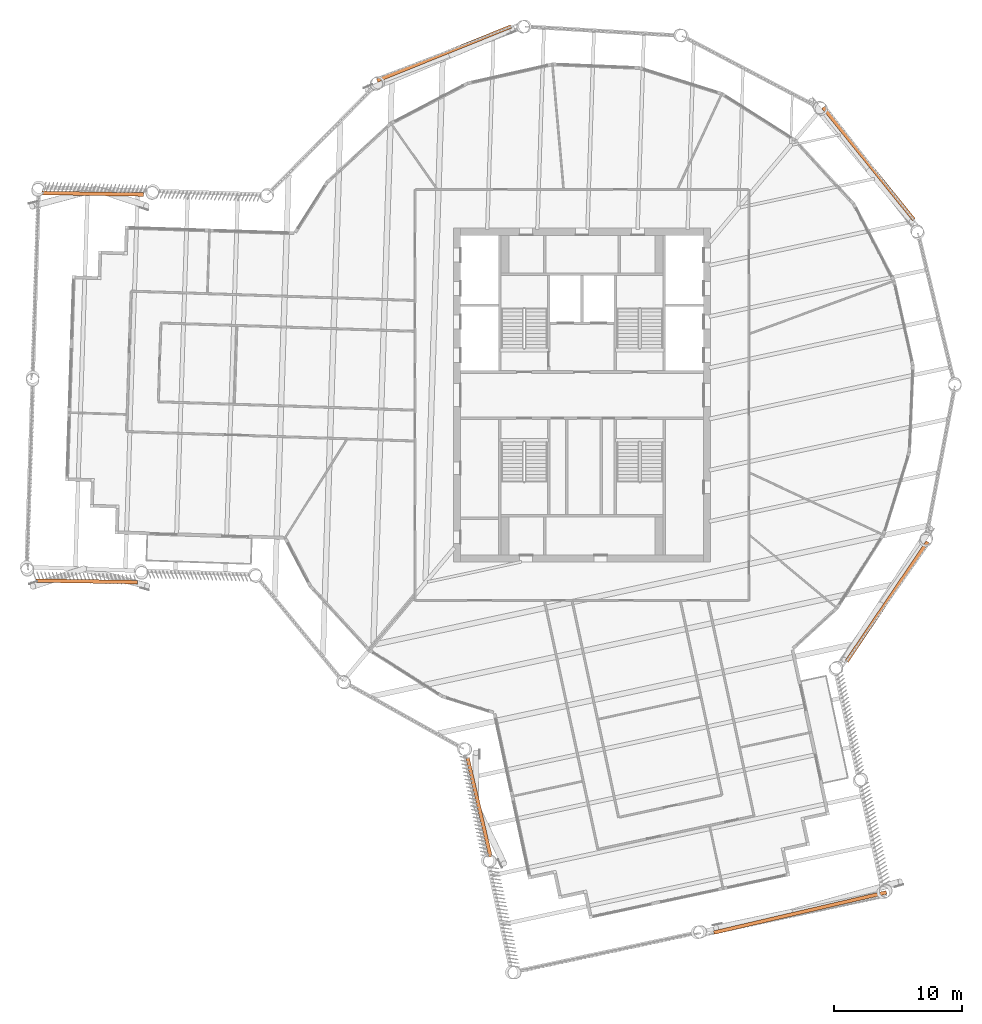
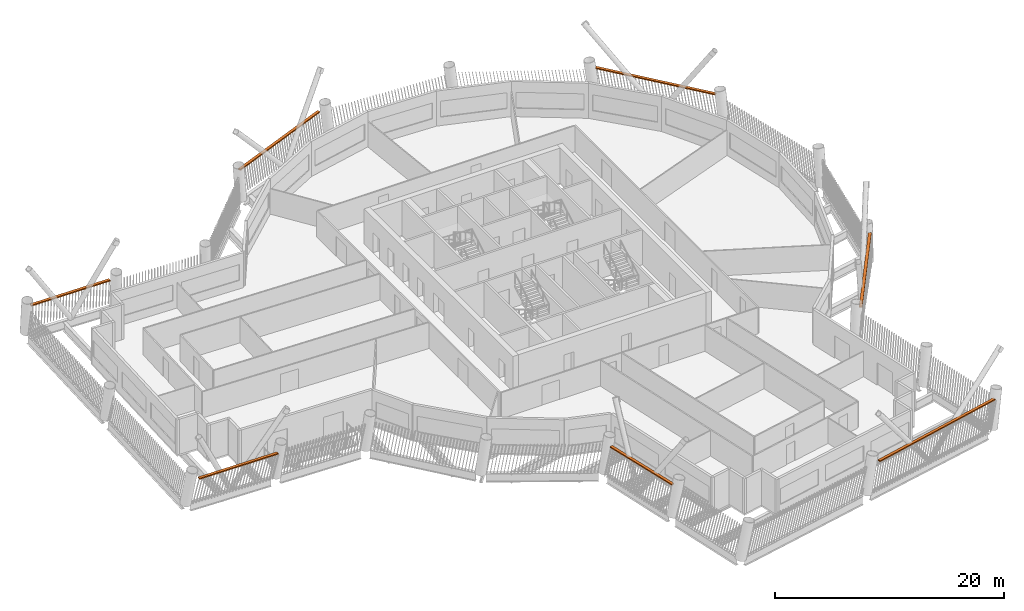
# One storey, part 21 of 21: 7 proxies.
"""IFC4 building model written with IfcOpenShell, lengths in metres."""

from ifc_helpers import new_model, si_unit, direction, frame, origin, origin_2d, place, context, subcontext, project, spatial, rectangle, extrude, material, type_object, element, save


model = new_model("IFC4")

# Units and contexts
model_context = context("Model", 3, precision=1e-05, world=origin(), true_north=direction((0.0, 1.0)))
body_context = subcontext(model_context, "Body", "Model", "MODEL_VIEW")
ifc_project = project(units=[si_unit("LENGTHUNIT", "METRE"), si_unit("AREAUNIT", "SQUARE_METRE"), si_unit("VOLUMEUNIT", "CUBIC_METRE"), si_unit("PLANEANGLEUNIT", "RADIAN"), si_unit("MASSUNIT", "GRAM", prefix="KILO")], contexts=[model_context])

# Site, building, storey
site_placement = place(None, origin())
site = spatial("IfcSite", under=ifc_project, at=site_placement, CompositionType="ELEMENT")
building_placement = place(site_placement, origin())
building = spatial("IfcBuilding", under=site, at=building_placement, Name="Tarsis Ring Headquarters", CompositionType="ELEMENT")
storey_placement = place(building_placement, frame((0.0, 0.0, 278.60009765625)))
storey = spatial("IfcBuildingStorey", under=building, at=storey_placement, Name="L65", CompositionType="ELEMENT", Elevation=278.60009765625)

# Proxies
ifc_material = material(Name="Structural steel S355", Category="steel")
building_element_proxy_type = type_object("IfcBuildingElementProxyType", Name="Screen bracket plate", PredefinedType="USERDEFINED", material=ifc_material)
proxy_1_placement = place(storey_placement, frame((-8.016845703125, -32.1044921875, 2.967529296875), z_axis=(0.0, 0.0, 1.0), x_axis=(0.226991343362, -0.973896775864, 0.0)))
element("IfcBuildingElementProxy", 1, at=proxy_1_placement, inside=storey, type_object=building_element_proxy_type, Name="Screen bracket L65-01", ObjectType="Bracket", PredefinedType="USERDEFINED", context=body_context, shape_type="SweptSolid", body=[
    extrude(rectangle(XDim=7.90234375, YDim=0.280029296875, at=origin_2d()), origin(), (0.0, 0.0, 1.0), 0.1201171875),
])
proxy_2_placement = place(storey_placement, frame((16.989013671875, -40.290283203125, 2.967529296875), z_axis=(0.0, 0.0, 1.0), x_axis=(0.973896807558, 0.22699120738, 0.0)))
element("IfcBuildingElementProxy", 2, at=proxy_2_placement, inside=storey, type_object=building_element_proxy_type, Name="Screen bracket L65-04", ObjectType="Bracket", PredefinedType="USERDEFINED", context=body_context, shape_type="SweptSolid", body=[
    extrude(rectangle(XDim=13.800048828125, YDim=0.280029296875, at=origin_2d()), origin(), (0.0, 0.0, 1.0), 0.1201171875),
])
for number, where, z_axis, x_axis, name in (
    (3, (23.763427734375, -16.076171875, 2.967529296875), (0.0, 0.0, 1.0), (0.560331438184, 0.828268482669, 0.0), "Screen bracket L65-07"),
    (4, (22.31298828125, 18.03564453125, 2.967529296875), (0.0, 0.0, 1.0), (-0.628625051194, 0.777708521884, 0.0), "Screen bracket L65-10"),
    (5, (-10.736572265625, 26.60595703125, 2.967529296875), (0.0, 0.0, 1.0), (-0.927339238099, -0.374221775798, 0.0), "Screen bracket L65-13"),
):
    element("IfcBuildingElementProxy", number, at=place(storey_placement, frame(where, z_axis=z_axis, x_axis=x_axis)), inside=storey, type_object=building_element_proxy_type, Name=name, ObjectType="Bracket", PredefinedType="USERDEFINED", context=body_context, shape_type="SweptSolid", body=[
        extrude(rectangle(XDim=11.248779296875, YDim=0.280029296875, at=origin_2d()), origin(), (0.0, 0.0, 1.0), 0.1201171875),
    ])
for number, where, z_axis, x_axis, name in (
    (6, (-38.112548828125, 15.68212890625, 2.967529296875), (0.0, 0.0, 1.0), (-0.999882054722, 0.015358276124, 0.0), "Screen bracket L65-16"),
    (7, (-38.576171875, -14.504150390625, 2.967529296875), (0.0, 0.0, 1.0), (0.999882054722, -0.015358276124, 0.0), "Screen bracket L65-19"),
):
    element("IfcBuildingElementProxy", number, at=place(storey_placement, frame(where, z_axis=z_axis, x_axis=x_axis)), inside=storey, type_object=building_element_proxy_type, Name=name, ObjectType="Bracket", PredefinedType="USERDEFINED", context=body_context, shape_type="SweptSolid", body=[
        extrude(rectangle(XDim=7.90234375, YDim=0.280029296875, at=origin_2d()), origin(), (0.0, 0.0, 1.0), 0.1201171875),
    ])

save(model, "model.ifc")
